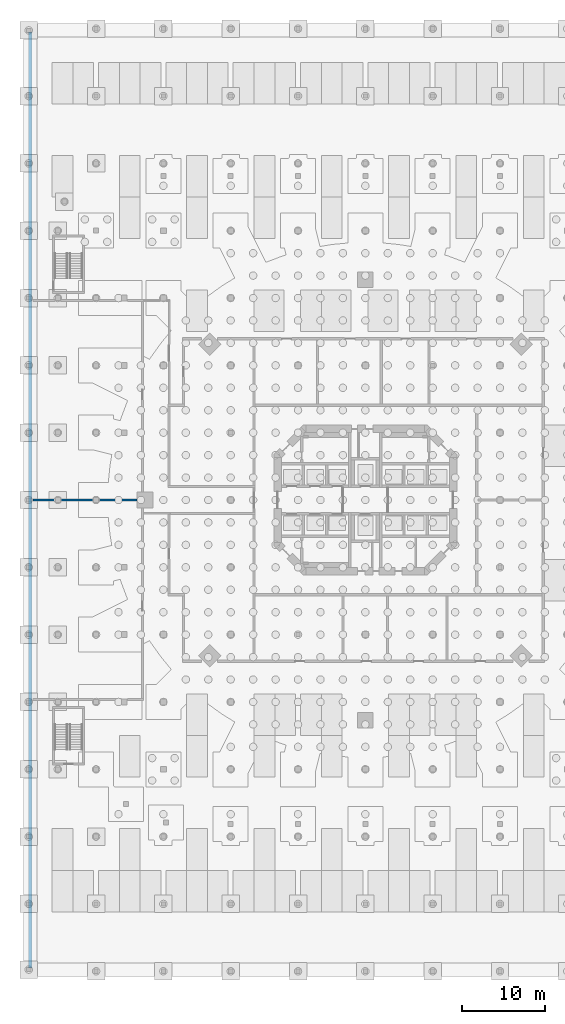
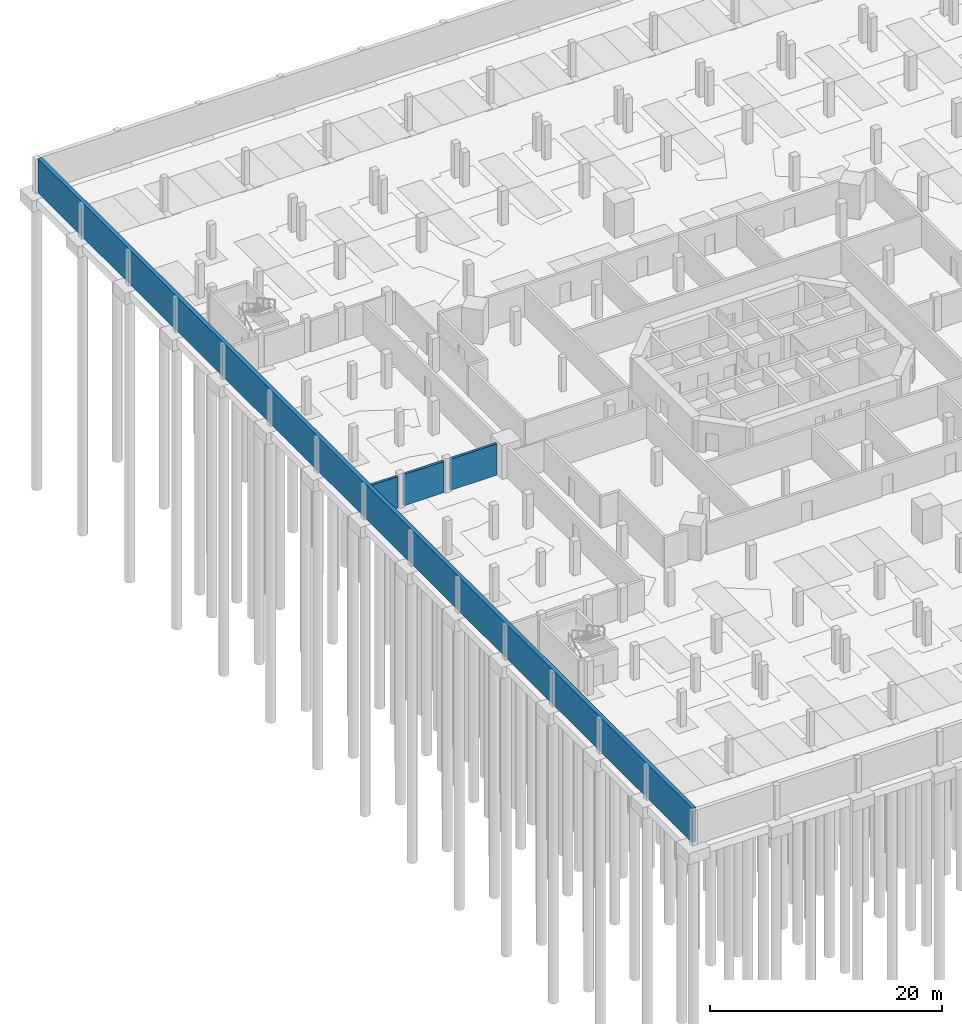
# One storey, part 12 of 23: 4 walls.
"""IFC4 building model written with IfcOpenShell, lengths in metres."""

import ifcopenshell
import ifcopenshell.guid

model = None  # the IFC model being written
_history = None  # IfcOwnerHistory: only IFC2X3 demands one
_inside = {}  # id of a spatial element -> (the spatial element, [elements in it])
_under = {}  # id of a project, library or spatial element -> (it, [spatial elements below it])
_declared = {}  # id of a project -> (the project, [libraries it declares])
_typed = {}  # id of a type object -> (the type object, [elements of that type])
_made_of = {}  # id of a material, layer set ... -> (it, [elements and type objects made of it])


def new_model(schema):
    """Start an empty IFC model of exactly this schema.

    Asked for "IFC4X3", IfcOpenShell would pick the latest addendum, in which some entities
    have other attributes; the version numbers below select the first issue.
    IFC2X3 requires an IfcOwnerHistory on every rooted entity: one is made here for all.
    """
    global model, _history
    if schema == "IFC4X3":
        model = ifcopenshell.file(schema_version=(4, 3, 0, 0))
    else:
        model = ifcopenshell.file(schema=schema)
    _inside.clear()
    _under.clear()
    _declared.clear()
    _typed.clear()
    _made_of.clear()
    _history = None
    if model.schema == "IFC2X3":
        org = make("IfcOrganization", Name="unknown")
        user = make(
            "IfcPersonAndOrganization",
            ThePerson=make("IfcPerson", FamilyName="unknown"),
            TheOrganization=org,
        )
        app = make(
            "IfcApplication",
            ApplicationDeveloper=org,
            Version="unknown",
            ApplicationFullName="unknown",
            ApplicationIdentifier="unknown",
        )
        _history = make(
            "IfcOwnerHistory",
            OwningUser=user,
            OwningApplication=app,
            ChangeAction="ADDED",
            CreationDate=0,
        )
    return model


def make(cls, **values):
    """One entity of the class cls with the attributes given. An attribute that is None is left unset."""
    return model.create_entity(
        cls, **{name: value for name, value in values.items() if value is not None}
    )


def rooted(cls, **values):
    """An entity with a GlobalId (a new one), such as an element, a storey or a relation."""
    return make(cls, GlobalId=ifcopenshell.guid.new(), OwnerHistory=_history, **values)


def si_unit(unit_type, name, prefix=None):
    """IfcSIUnit, for example si_unit("LENGTHUNIT", "METRE", prefix="MILLI")."""
    return make("IfcSIUnit", UnitType=unit_type, Prefix=prefix, Name=name)


def assignment(units):
    """IfcUnitAssignment: the units of a project."""
    return None if units is None else make("IfcUnitAssignment", Units=units)


def point(xyz):
    """IfcCartesianPoint."""
    return None if xyz is None else make("IfcCartesianPoint", Coordinates=xyz)


def direction(xyz):
    """IfcDirection."""
    return None if xyz is None else make("IfcDirection", DirectionRatios=xyz)


def frame(location, z_axis=None, x_axis=None):
    """IfcAxis2Placement3D, a coordinate frame: its origin and axes. An axis left out is left unset."""
    return make(
        "IfcAxis2Placement3D",
        Location=point(location),
        Axis=direction(z_axis),
        RefDirection=direction(x_axis),
    )


def frame_2d(location, x_axis=None):
    """IfcAxis2Placement2D, a coordinate frame in the plane: its origin and x axis."""
    return make(
        "IfcAxis2Placement2D", Location=point(location), RefDirection=direction(x_axis)
    )


def origin():
    """The frame at (0, 0, 0) with its axes left unset."""
    return frame((0.0, 0.0, 0.0))


def place(relative_to, where):
    """IfcLocalPlacement: puts the frame where relative to a parent placement (None: the world)."""
    return make(
        "IfcLocalPlacement", PlacementRelTo=relative_to, RelativePlacement=where
    )


def context(
    kind, dimensions, precision=None, world=None, true_north=None, identifier=None
):
    """IfcGeometricRepresentationContext, for example the 3D "Model" context."""
    return make(
        "IfcGeometricRepresentationContext",
        ContextIdentifier=identifier,
        ContextType=kind,
        CoordinateSpaceDimension=dimensions,
        Precision=precision,
        WorldCoordinateSystem=world,
        TrueNorth=true_north,
    )


def subcontext(parent, identifier, kind, view, scale=None):
    """IfcGeometricRepresentationSubContext, for example "Body" below "Model"."""
    return make(
        "IfcGeometricRepresentationSubContext",
        ContextIdentifier=identifier,
        ContextType=kind,
        ParentContext=parent,
        TargetScale=scale,
        TargetView=view,
    )


def project(units=None, contexts=None):
    """IfcProject with its units and contexts."""
    return rooted(
        "IfcProject",
        Name="project",
        RepresentationContexts=contexts,
        UnitsInContext=assignment(units),
    )


def spatial(cls, under=None, at=None, **own):
    """A site, building, storey or space (cls), placed at a placement, below another one or the project."""
    s = rooted(cls, ObjectPlacement=at, **own)
    if under is not None:
        _under.setdefault(under.id(), (under, []))[1].append(s)
    return s


def profile(cls, at=None, kind="AREA", **sizes):
    """A parametric profile (cls). Its sizes go by their IFC names, for example OverallWidth=200.0."""
    return make(cls, ProfileType=kind, Position=at, **sizes)


def rectangle(**sizes):
    """IfcRectangleProfileDef."""
    return profile("IfcRectangleProfileDef", **sizes)


def extrude(swept, where, along, depth):
    """IfcExtrudedAreaSolid: the profile swept, set in the frame where, extruded along a direction by depth."""
    return make(
        "IfcExtrudedAreaSolid",
        SweptArea=swept,
        Position=where,
        ExtrudedDirection=direction(along),
        Depth=depth,
    )


def shape(context_of_items, identifier, shape_type, items):
    """IfcShapeRepresentation: the items that make up one representation, for example the "Body"."""
    return make(
        "IfcShapeRepresentation",
        ContextOfItems=context_of_items,
        RepresentationIdentifier=identifier,
        RepresentationType=shape_type,
        Items=items,
    )


def material(Name=None, Category=None):
    """IfcMaterial."""
    return make("IfcMaterial", Name=Name, Category=Category)


def layer(
    of_material, thickness, ventilated=None, Name=None, Category=None, Priority=None
):
    """IfcMaterialLayer: one layer of a wall or slab, of a material (None: an air gap)."""
    return make(
        "IfcMaterialLayer",
        Material=of_material,
        LayerThickness=thickness,
        IsVentilated=ventilated,
        Name=Name,
        Category=Category,
        Priority=Priority,
    )


def layer_set(layers, Name=None):
    """IfcMaterialLayerSet."""
    return make("IfcMaterialLayerSet", MaterialLayers=layers, LayerSetName=Name)


def made_of(thing, what):
    """Note that an element or type object is made of a material, layer set ...; save() writes the relation."""
    if what is not None:
        _made_of.setdefault(what.id(), (what, []))[1].append(thing)
    return thing


def type_object(cls, material=None, **own):
    """A type object (cls), such as IfcWallType, which elements share."""
    return made_of(rooted(cls, **own), material)


def element(
    cls,
    number,
    at=None,
    inside=None,
    cuts=None,
    type_object=None,
    material=None,
    context=None,
    identifier="Body",
    shape_type=None,
    held_by="IfcProductDefinitionShape",
    body=None,
    shapes=None,
    **own,
):
    """One element of the class cls, such as IfcWall. Its Tag is "e" and its number.

    at: its placement. inside: the storey or other place that contains it. cuts: it is an
    opening in that element (IfcRelVoidsElement). A single representation is given by context,
    identifier, shape_type and body (its items); several are given by shapes. held_by: the class
    of the entity that holds the representations. save() writes the other relations.
    """
    e = rooted(cls, Tag="e%d" % number, ObjectPlacement=at, **own)
    if body is not None:
        shapes = [shape(context, identifier, shape_type, body)]
    if shapes is not None:
        e.Representation = make(held_by, Representations=shapes)
    if inside is not None:
        _inside.setdefault(inside.id(), (inside, []))[1].append(e)
    if cuts is not None:
        rooted(
            "IfcRelVoidsElement", RelatingBuildingElement=cuts, RelatedOpeningElement=e
        )
    if type_object is not None:
        _typed.setdefault(type_object.id(), (type_object, []))[1].append(e)
    return made_of(e, material)


def aggregate(whole, parts):
    """IfcRelAggregates: a whole, such as a stair, and the parts it consists of."""
    return rooted("IfcRelAggregates", RelatingObject=whole, RelatedObjects=parts)


def save(model, path):
    """Write the relations noted so far, then the file.

    IfcRelAggregates (storeys below a building ...), IfcRelContainedInSpatialStructure (elements
    in a storey), IfcRelDefinesByType, IfcRelAssociatesMaterial and IfcRelDeclares: one each for
    every whole, place, type object, material and project.
    """
    for whole, parts in _under.values():
        aggregate(whole, parts)
    for where, things in _inside.values():
        rooted(
            "IfcRelContainedInSpatialStructure",
            RelatedElements=things,
            RelatingStructure=where,
        )
    for kind, things in _typed.values():
        rooted("IfcRelDefinesByType", RelatedObjects=things, RelatingType=kind)
    for what, things in _made_of.values():
        rooted("IfcRelAssociatesMaterial", RelatedObjects=things, RelatingMaterial=what)
    for by, libraries in _declared.values():
        rooted("IfcRelDeclares", RelatingContext=by, RelatedDefinitions=libraries)
    model.write(path)


model = new_model("IFC4")

# Units and contexts
model_context = context("Model", 3, precision=1e-05, world=origin(), true_north=direction((0.0, 1.0)))
body_context = subcontext(model_context, "Body", "Model", "MODEL_VIEW")
ifc_project = project(units=[si_unit("LENGTHUNIT", "METRE"), si_unit("AREAUNIT", "SQUARE_METRE"), si_unit("VOLUMEUNIT", "CUBIC_METRE"), si_unit("PLANEANGLEUNIT", "RADIAN"), si_unit("MASSUNIT", "GRAM", prefix="KILO")], contexts=[model_context])

# Site, building, storey
site_placement = place(None, origin())
site = spatial("IfcSite", under=ifc_project, at=site_placement, CompositionType="ELEMENT")
building_placement = place(site_placement, origin())
building = spatial("IfcBuilding", under=site, at=building_placement, Name="Torre Triforio", CompositionType="ELEMENT")
storey_placement = place(building_placement, frame((0.0, 0.0, -10.800048828125)))
storey = spatial("IfcBuildingStorey", under=building, at=storey_placement, Name="B3", CompositionType="ELEMENT", Elevation=-10.800048828125)

# Walls
ifc_material_1 = material(Name="Masonry block", Category="masonry")
ifc_layer_1 = layer(ifc_material_1, 0.25)
ifc_layer_set_1 = layer_set([ifc_layer_1], Name="Masonry block")
wall_type_1 = type_object("IfcWallType", Name="Plant room wall 250 EI 120", PredefinedType="PARTITIONING", material=ifc_layer_set_1)
wall_1_placement = place(storey_placement, frame((-40.0, 0.0, 0.0), z_axis=(0.0, 0.0, 1.0), x_axis=(1.0, 0.0, 0.0)))
element("IfcWall", 1, at=wall_1_placement, inside=storey, type_object=wall_type_1, Name="Plant room wall B3 060", PredefinedType="PARTITIONING", context=body_context, shape_type="SweptSolid", body=[
    extrude(rectangle(XDim=2.68994140625, YDim=0.25, at=frame_2d((1.344970703125, 0.0))), origin(), (0.0, 0.0, 1.0), 3.280029296875),
])
wall_2_placement = place(storey_placement, frame((-36.68994140625, 0.0, 0.0), z_axis=(0.0, 0.0, 1.0), x_axis=(1.0, 0.0, 0.0)))
element("IfcWall", 2, at=wall_2_placement, inside=storey, type_object=wall_type_1, Name="Plant room wall B3 061", PredefinedType="PARTITIONING", context=body_context, shape_type="SweptSolid", body=[
    extrude(rectangle(XDim=3.97998046875, YDim=0.25, at=frame_2d((1.989990234375, 0.0))), origin(), (0.0, 0.0, 1.0), 3.280029296875),
])
wall_3_placement = place(storey_placement, frame((-32.090087890625, 0.0, 0.0), z_axis=(0.0, 0.0, 1.0), x_axis=(1.0, 0.0, 0.0)))
element("IfcWall", 3, at=wall_3_placement, inside=storey, type_object=wall_type_1, Name="Plant room wall B3 062", PredefinedType="PARTITIONING", context=body_context, shape_type="SweptSolid", body=[
    extrude(rectangle(XDim=4.630126953125, YDim=0.25, at=frame_2d((2.31494140625, 0.0))), origin(), (0.0, 0.0, 1.0), 3.280029296875),
])
ifc_material_2 = material(Name="Concrete C40", Category="concrete")
ifc_layer_2 = layer(ifc_material_2, 0.39990234375)
ifc_layer_set_2 = layer_set([ifc_layer_2], Name="Concrete C40")
wall_type_2 = type_object("IfcWallType", Name="Retaining wall 400 C40", PredefinedType="SOLIDWALL", material=ifc_layer_set_2)
wall_4_placement = place(storey_placement, frame((-40.300048828125, -56.300048828125, 0.0), z_axis=(0.0, 0.0, 1.0), x_axis=(0.0, 1.0, 0.0)))
element("IfcWall", 4, at=wall_4_placement, inside=storey, type_object=wall_type_2, Name="WL.RET.B3.W", PredefinedType="SOLIDWALL", context=body_context, shape_type="SweptSolid", body=[
    extrude(rectangle(XDim=112.60009765625, YDim=0.39990234375, at=frame_2d((56.300048828125, 0.0))), origin(), (0.0, 0.0, 1.0), 3.60009765625),
])

save(model, "model.ifc")
